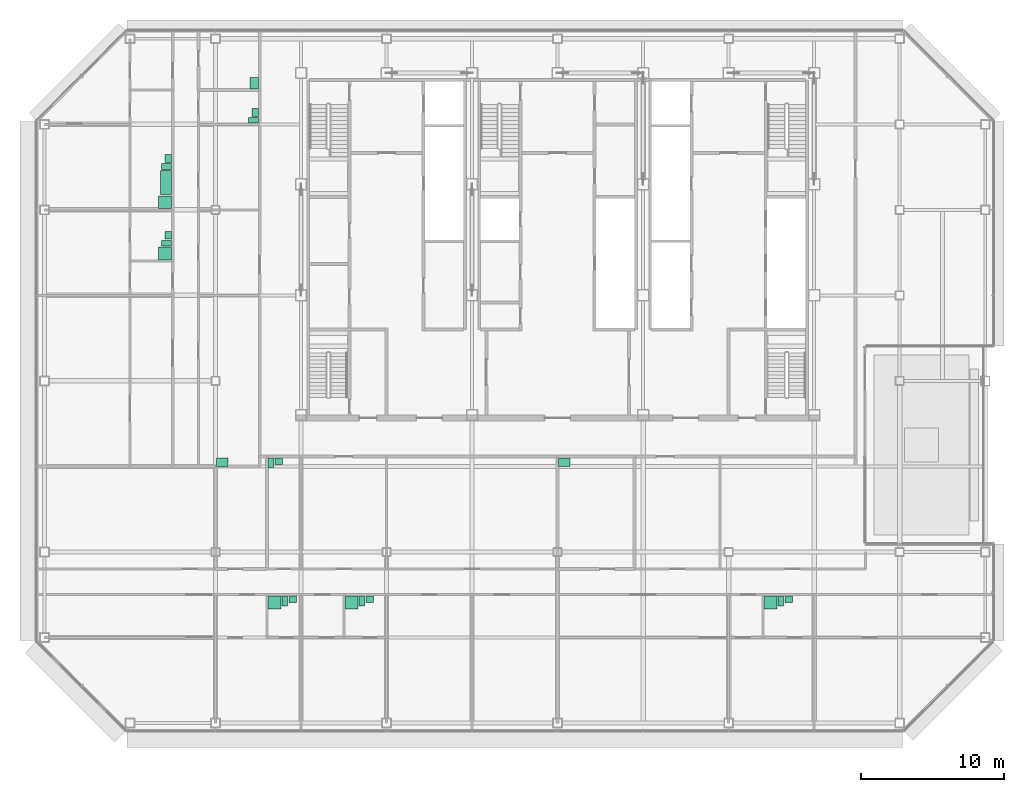
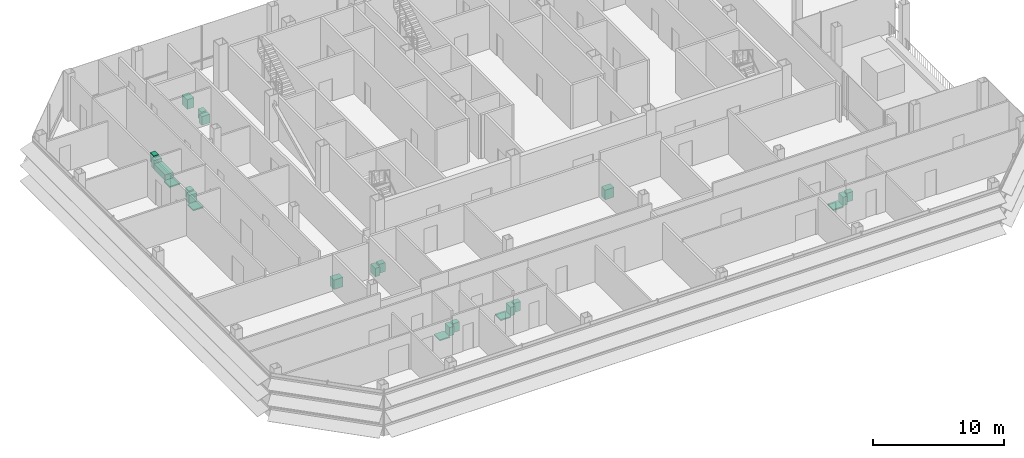
# One storey, part 29 of 30: 23 sanitary terminals.
"""IFC4 building model written with IfcOpenShell, lengths in metres."""

from ifc_helpers import new_model, si_unit, direction, frame, origin, origin_2d, place, context, subcontext, project, spatial, rectangle, extrude, element, save


model = new_model("IFC4")

# Units and contexts
model_context = context("Model", 3, precision=1e-05, world=origin(), true_north=direction((0.0, 1.0)))
body_context = subcontext(model_context, "Body", "Model", "MODEL_VIEW")
ifc_project = project(units=[si_unit("LENGTHUNIT", "METRE"), si_unit("AREAUNIT", "SQUARE_METRE"), si_unit("VOLUMEUNIT", "CUBIC_METRE"), si_unit("PLANEANGLEUNIT", "RADIAN"), si_unit("MASSUNIT", "GRAM", prefix="KILO")], contexts=[model_context])

# Site, building, storey
site_placement = place(None, origin())
site = spatial("IfcSite", under=ifc_project, at=site_placement, CompositionType="ELEMENT")
building_placement = place(site_placement, origin())
building = spatial("IfcBuilding", under=site, at=building_placement, Name="Sorahane Residences", CompositionType="ELEMENT")
storey_placement = place(building_placement, frame((0.0, 0.0, 229.800048828125)))
storey = spatial("IfcBuildingStorey", under=building, at=storey_placement, Name="L54", CompositionType="ELEMENT", Elevation=229.800048828125)

# Sanitary terminals
sanitary_terminal_1_placement = place(storey_placement, frame((4.1298828125, 8.449951171875, 0.0), z_axis=(0.0, 0.0, 1.0), x_axis=(1.0, 0.0, 0.0)))
element("IfcSanitaryTerminal", 1, at=sanitary_terminal_1_placement, inside=storey, Name="Shower tray En-suite bathroom 54A", PredefinedType="SHOWER", context=body_context, shape_type="SweptSolid", body=[
    extrude(rectangle(XDim=0.89990234375, YDim=0.89990234375, at=origin_2d()), origin(), (0.0, 0.0, 1.0), 0.1201171875),
])
sanitary_terminal_2_placement = place(storey_placement, frame((4.860107421875, 8.550048828125, 0.0), z_axis=(0.0, 0.0, 1.0), x_axis=(1.0, 0.0, 0.0)))
element("IfcSanitaryTerminal", 2, at=sanitary_terminal_2_placement, inside=storey, Name="WC pan En-suite bathroom 54A", PredefinedType="TOILETPAN", context=body_context, shape_type="SweptSolid", body=[
    extrude(rectangle(XDim=0.39990234375, YDim=0.699951171875, at=origin_2d()), origin(), (0.0, 0.0, 1.0), 0.800048828125),
])
sanitary_terminal_3_placement = place(storey_placement, frame((5.4150390625, 8.675048828125, 0.0), z_axis=(0.0, 0.0, 1.0), x_axis=(1.0, 0.0, 0.0)))
element("IfcSanitaryTerminal", 3, at=sanitary_terminal_3_placement, inside=storey, Name="Wash basin En-suite bathroom 54A", PredefinedType="WASHHANDBASIN", context=body_context, shape_type="SweptSolid", body=[
    extrude(rectangle(XDim=0.550048828125, YDim=0.449951171875, at=origin_2d()), origin(), (0.0, 0.0, 1.0), 0.85009765625),
])
sanitary_terminal_4_placement = place(storey_placement, frame((9.530029296875, 8.449951171875, 0.0), z_axis=(0.0, 0.0, 1.0), x_axis=(1.0, 0.0, 0.0)))
element("IfcSanitaryTerminal", 4, at=sanitary_terminal_4_placement, inside=storey, Name="Shower tray En-suite bathroom 54A-2", PredefinedType="SHOWER", context=body_context, shape_type="SweptSolid", body=[
    extrude(rectangle(XDim=0.89990234375, YDim=0.89990234375, at=origin_2d()), origin(), (0.0, 0.0, 1.0), 0.1201171875),
])
sanitary_terminal_5_placement = place(storey_placement, frame((10.260009765625, 8.550048828125, 0.0), z_axis=(0.0, 0.0, 1.0), x_axis=(1.0, 0.0, 0.0)))
element("IfcSanitaryTerminal", 5, at=sanitary_terminal_5_placement, inside=storey, Name="WC pan En-suite bathroom 54A-2", PredefinedType="TOILETPAN", context=body_context, shape_type="SweptSolid", body=[
    extrude(rectangle(XDim=0.39990234375, YDim=0.699951171875, at=origin_2d()), origin(), (0.0, 0.0, 1.0), 0.800048828125),
])
sanitary_terminal_6_placement = place(storey_placement, frame((10.81494140625, 8.675048828125, 0.0), z_axis=(0.0, 0.0, 1.0), x_axis=(1.0, 0.0, 0.0)))
element("IfcSanitaryTerminal", 6, at=sanitary_terminal_6_placement, inside=storey, Name="Wash basin En-suite bathroom 54A-2", PredefinedType="WASHHANDBASIN", context=body_context, shape_type="SweptSolid", body=[
    extrude(rectangle(XDim=0.550048828125, YDim=0.449951171875, at=origin_2d()), origin(), (0.0, 0.0, 1.0), 0.85009765625),
])
sanitary_terminal_7_placement = place(storey_placement, frame((0.47998046875, 18.300048828125, 0.0), z_axis=(0.0, 0.0, 1.0), x_axis=(1.0, 0.0, 0.0)))
element("IfcSanitaryTerminal", 7, at=sanitary_terminal_7_placement, inside=storey, Name="Kitchen sink Kitchen 54A", PredefinedType="SINK", context=body_context, shape_type="SweptSolid", body=[
    extrude(rectangle(XDim=0.800048828125, YDim=0.60009765625, at=origin_2d()), origin(), (0.0, 0.0, 1.0), 0.89990234375),
])
sanitary_terminal_8_placement = place(storey_placement, frame((3.8798828125, 18.25, 0.0), z_axis=(0.0, 0.0, 1.0), x_axis=(1.0, 0.0, 0.0)))
element("IfcSanitaryTerminal", 8, at=sanitary_terminal_8_placement, inside=storey, Name="WC pan Guest WC 54A", PredefinedType="TOILETPAN", context=body_context, shape_type="SweptSolid", body=[
    extrude(rectangle(XDim=0.39990234375, YDim=0.699951171875, at=origin_2d()), origin(), (0.0, 0.0, 1.0), 0.800048828125),
])
sanitary_terminal_9_placement = place(storey_placement, frame((4.43505859375, 18.375, 0.0), z_axis=(0.0, 0.0, 1.0), x_axis=(1.0, 0.0, 0.0)))
element("IfcSanitaryTerminal", 9, at=sanitary_terminal_9_placement, inside=storey, Name="Wash basin Guest WC 54A", PredefinedType="WASHHANDBASIN", context=body_context, shape_type="SweptSolid", body=[
    extrude(rectangle(XDim=0.550048828125, YDim=0.449951171875, at=origin_2d()), origin(), (0.0, 0.0, 1.0), 0.85009765625),
])
sanitary_terminal_10_placement = place(storey_placement, frame((38.929931640625, 8.449951171875, 0.0), z_axis=(0.0, 0.0, 1.0), x_axis=(1.0, 0.0, 0.0)))
element("IfcSanitaryTerminal", 10, at=sanitary_terminal_10_placement, inside=storey, Name="Shower tray En-suite bathroom 54B", PredefinedType="SHOWER", context=body_context, shape_type="SweptSolid", body=[
    extrude(rectangle(XDim=0.89990234375, YDim=0.89990234375, at=origin_2d()), origin(), (0.0, 0.0, 1.0), 0.1201171875),
])
sanitary_terminal_11_placement = place(storey_placement, frame((39.659912109375, 8.550048828125, 0.0), z_axis=(0.0, 0.0, 1.0), x_axis=(1.0, 0.0, 0.0)))
element("IfcSanitaryTerminal", 11, at=sanitary_terminal_11_placement, inside=storey, Name="WC pan En-suite bathroom 54B", PredefinedType="TOILETPAN", context=body_context, shape_type="SweptSolid", body=[
    extrude(rectangle(XDim=0.39990234375, YDim=0.699951171875, at=origin_2d()), origin(), (0.0, 0.0, 1.0), 0.800048828125),
])
sanitary_terminal_12_placement = place(storey_placement, frame((40.215087890625, 8.675048828125, 0.0), z_axis=(0.0, 0.0, 1.0), x_axis=(1.0, 0.0, 0.0)))
element("IfcSanitaryTerminal", 12, at=sanitary_terminal_12_placement, inside=storey, Name="Wash basin En-suite bathroom 54B", PredefinedType="WASHHANDBASIN", context=body_context, shape_type="SweptSolid", body=[
    extrude(rectangle(XDim=0.550048828125, YDim=0.449951171875, at=origin_2d()), origin(), (0.0, 0.0, 1.0), 0.85009765625),
])
sanitary_terminal_13_placement = place(storey_placement, frame((24.47998046875, 18.300048828125, 0.0), z_axis=(0.0, 0.0, 1.0), x_axis=(1.0, 0.0, 0.0)))
element("IfcSanitaryTerminal", 13, at=sanitary_terminal_13_placement, inside=storey, Name="Kitchen sink Kitchen 54B", PredefinedType="SINK", context=body_context, shape_type="SweptSolid", body=[
    extrude(rectangle(XDim=0.800048828125, YDim=0.60009765625, at=origin_2d()), origin(), (0.0, 0.0, 1.0), 0.89990234375),
])
sanitary_terminal_14_placement = place(storey_placement, frame((-3.550048828125, 32.929931640625, 0.0), z_axis=(0.0, 0.0, 1.0), x_axis=(0.0, -1.0, 0.0)))
element("IfcSanitaryTerminal", 14, at=sanitary_terminal_14_placement, inside=storey, Name="Shower tray En-suite bathroom 54C", PredefinedType="SHOWER", context=body_context, shape_type="SweptSolid", body=[
    extrude(rectangle(XDim=0.89990234375, YDim=0.89990234375, at=origin_2d()), origin(), (0.0, 0.0, 1.0), 0.1201171875),
])
sanitary_terminal_15_placement = place(storey_placement, frame((-3.449951171875, 33.659912109375, 0.0), z_axis=(0.0, 0.0, 1.0), x_axis=(0.0, -1.0, 0.0)))
element("IfcSanitaryTerminal", 15, at=sanitary_terminal_15_placement, inside=storey, Name="WC pan En-suite bathroom 54C", PredefinedType="TOILETPAN", context=body_context, shape_type="SweptSolid", body=[
    extrude(rectangle(XDim=0.39990234375, YDim=0.699951171875, at=origin_2d()), origin(), (0.0, 0.0, 1.0), 0.800048828125),
])
sanitary_terminal_16_placement = place(storey_placement, frame((-3.324951171875, 34.215087890625, 0.0), z_axis=(0.0, 0.0, 1.0), x_axis=(0.0, -1.0, 0.0)))
element("IfcSanitaryTerminal", 16, at=sanitary_terminal_16_placement, inside=storey, Name="Wash basin En-suite bathroom 54C", PredefinedType="WASHHANDBASIN", context=body_context, shape_type="SweptSolid", body=[
    extrude(rectangle(XDim=0.550048828125, YDim=0.449951171875, at=origin_2d()), origin(), (0.0, 0.0, 1.0), 0.85009765625),
])
sanitary_terminal_17_placement = place(storey_placement, frame((-3.550048828125, 36.530029296875, 0.0), z_axis=(0.0, 0.0, 1.0), x_axis=(0.0, -1.0, 0.0)))
element("IfcSanitaryTerminal", 17, at=sanitary_terminal_17_placement, inside=storey, Name="Shower tray En-suite bathroom 54C-2", PredefinedType="SHOWER", context=body_context, shape_type="SweptSolid", body=[
    extrude(rectangle(XDim=0.89990234375, YDim=0.89990234375, at=origin_2d()), origin(), (0.0, 0.0, 1.0), 0.1201171875),
])
sanitary_terminal_18_placement = place(storey_placement, frame((-3.47509765625, 37.909912109375, 0.0), z_axis=(0.0, 0.0, 1.0), x_axis=(0.0, -1.0, 0.0)))
element("IfcSanitaryTerminal", 18, at=sanitary_terminal_18_placement, inside=storey, Name="Bath En-suite bathroom 54C-2", PredefinedType="BATH", context=body_context, shape_type="SweptSolid", body=[
    extrude(rectangle(XDim=1.699951171875, YDim=0.75, at=origin_2d()), origin(), (0.0, 0.0, 1.0), 0.56005859375),
])
sanitary_terminal_19_placement = place(storey_placement, frame((-3.449951171875, 39.0400390625, 0.0), z_axis=(0.0, 0.0, 1.0), x_axis=(0.0, -1.0, 0.0)))
element("IfcSanitaryTerminal", 19, at=sanitary_terminal_19_placement, inside=storey, Name="WC pan En-suite bathroom 54C-2", PredefinedType="TOILETPAN", context=body_context, shape_type="SweptSolid", body=[
    extrude(rectangle(XDim=0.39990234375, YDim=0.699951171875, at=origin_2d()), origin(), (0.0, 0.0, 1.0), 0.800048828125),
])
sanitary_terminal_20_placement = place(storey_placement, frame((-3.324951171875, 39.594970703125, 0.0), z_axis=(0.0, 0.0, 1.0), x_axis=(0.0, -1.0, 0.0)))
element("IfcSanitaryTerminal", 20, at=sanitary_terminal_20_placement, inside=storey, Name="Wash basin En-suite bathroom 54C-2", PredefinedType="WASHHANDBASIN", context=body_context, shape_type="SweptSolid", body=[
    extrude(rectangle(XDim=0.550048828125, YDim=0.449951171875, at=origin_2d()), origin(), (0.0, 0.0, 1.0), 0.85009765625),
])
sanitary_terminal_21_placement = place(storey_placement, frame((2.64990234375, 42.280029296875, 0.0), z_axis=(0.0, 0.0, 1.0), x_axis=(0.0, -1.0, 0.0)))
element("IfcSanitaryTerminal", 21, at=sanitary_terminal_21_placement, inside=storey, Name="WC pan Powder room 54C", PredefinedType="TOILETPAN", context=body_context, shape_type="SweptSolid", body=[
    extrude(rectangle(XDim=0.39990234375, YDim=0.699951171875, at=origin_2d()), origin(), (0.0, 0.0, 1.0), 0.800048828125),
])
sanitary_terminal_22_placement = place(storey_placement, frame((2.77490234375, 42.8349609375, 0.0), z_axis=(0.0, 0.0, 1.0), x_axis=(0.0, -1.0, 0.0)))
element("IfcSanitaryTerminal", 22, at=sanitary_terminal_22_placement, inside=storey, Name="Wash basin Powder room 54C", PredefinedType="WASHHANDBASIN", context=body_context, shape_type="SweptSolid", body=[
    extrude(rectangle(XDim=0.550048828125, YDim=0.449951171875, at=origin_2d()), origin(), (0.0, 0.0, 1.0), 0.85009765625),
])
sanitary_terminal_23_placement = place(storey_placement, frame((2.699951171875, 44.8798828125, 0.0), z_axis=(0.0, 0.0, 1.0), x_axis=(0.0, -1.0, 0.0)))
element("IfcSanitaryTerminal", 23, at=sanitary_terminal_23_placement, inside=storey, Name="Kitchen sink Kitchen 54C", PredefinedType="SINK", context=body_context, shape_type="SweptSolid", body=[
    extrude(rectangle(XDim=0.800048828125, YDim=0.60009765625, at=origin_2d()), origin(), (0.0, 0.0, 1.0), 0.89990234375),
])

save(model, "model.ifc")
